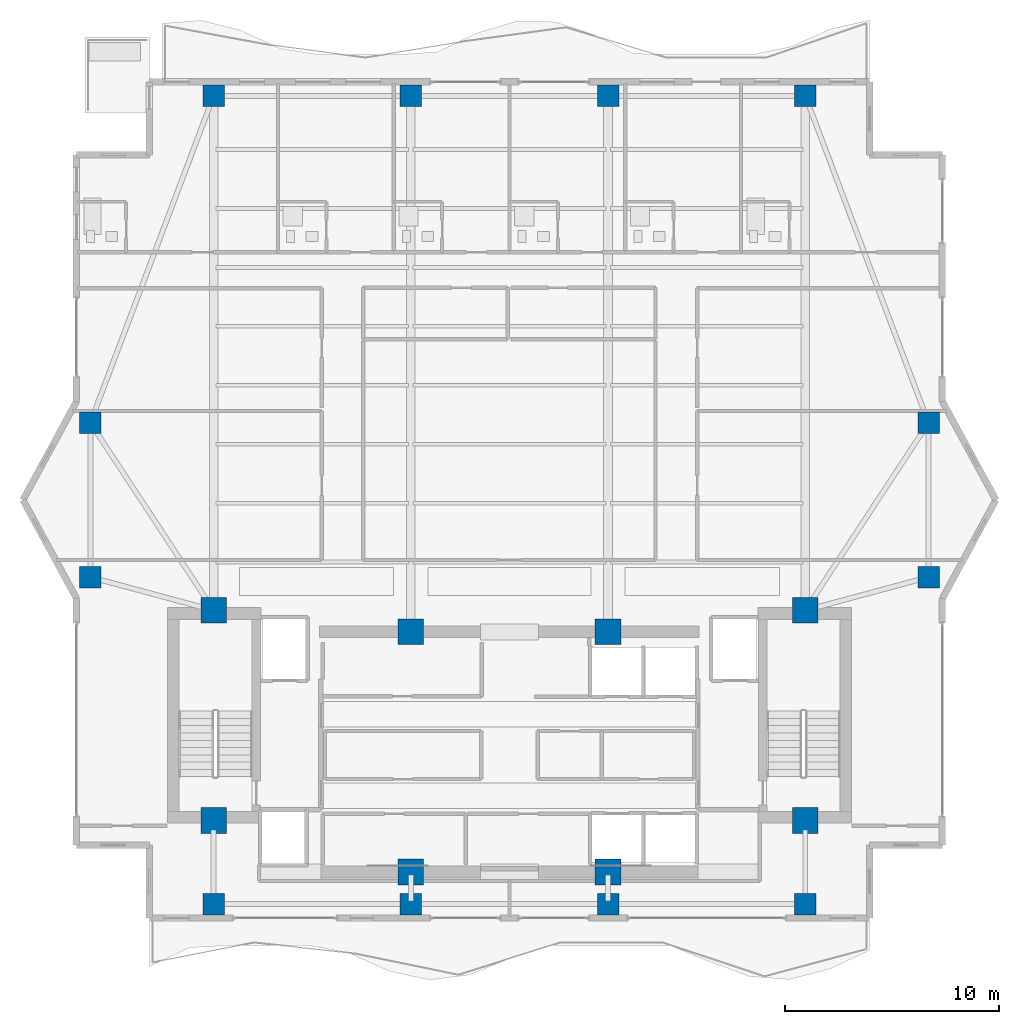
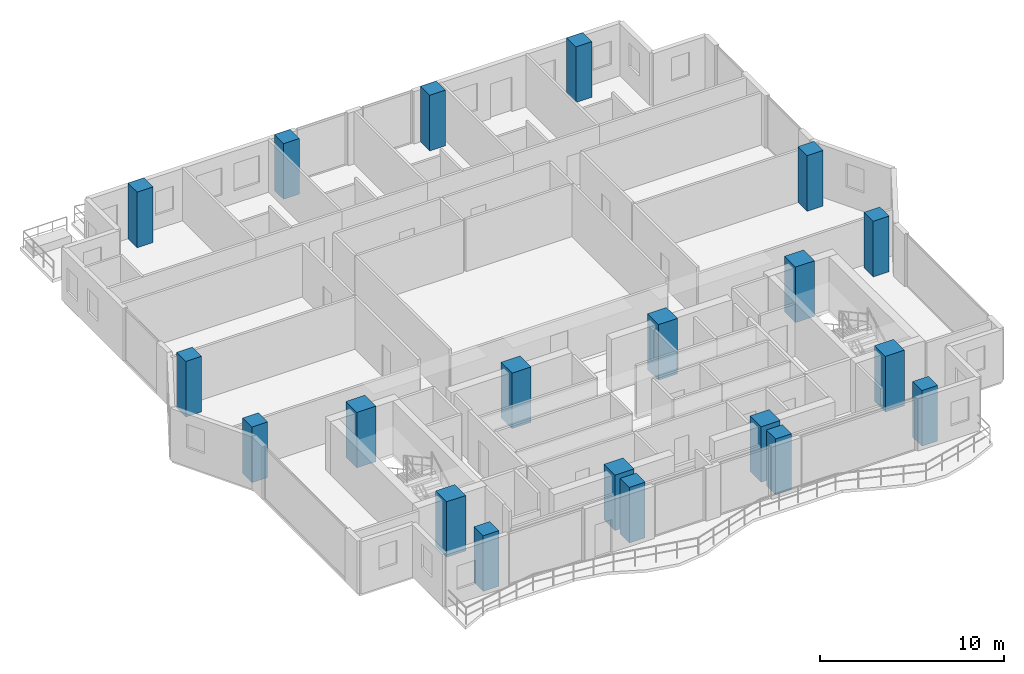
# One storey, part 1 of 24: 20 columns.
"""IFC4 building model written with IfcOpenShell, lengths in metres."""

import ifcopenshell
import ifcopenshell.guid

model = None  # the IFC model being written
_history = None  # IfcOwnerHistory: only IFC2X3 demands one
_inside = {}  # id of a spatial element -> (the spatial element, [elements in it])
_under = {}  # id of a project, library or spatial element -> (it, [spatial elements below it])
_declared = {}  # id of a project -> (the project, [libraries it declares])
_typed = {}  # id of a type object -> (the type object, [elements of that type])
_made_of = {}  # id of a material, layer set ... -> (it, [elements and type objects made of it])


def new_model(schema):
    """Start an empty IFC model of exactly this schema.

    Asked for "IFC4X3", IfcOpenShell would pick the latest addendum, in which some entities
    have other attributes; the version numbers below select the first issue.
    IFC2X3 requires an IfcOwnerHistory on every rooted entity: one is made here for all.
    """
    global model, _history
    if schema == "IFC4X3":
        model = ifcopenshell.file(schema_version=(4, 3, 0, 0))
    else:
        model = ifcopenshell.file(schema=schema)
    _inside.clear()
    _under.clear()
    _declared.clear()
    _typed.clear()
    _made_of.clear()
    _history = None
    if model.schema == "IFC2X3":
        org = make("IfcOrganization", Name="unknown")
        user = make(
            "IfcPersonAndOrganization",
            ThePerson=make("IfcPerson", FamilyName="unknown"),
            TheOrganization=org,
        )
        app = make(
            "IfcApplication",
            ApplicationDeveloper=org,
            Version="unknown",
            ApplicationFullName="unknown",
            ApplicationIdentifier="unknown",
        )
        _history = make(
            "IfcOwnerHistory",
            OwningUser=user,
            OwningApplication=app,
            ChangeAction="ADDED",
            CreationDate=0,
        )
    return model


def make(cls, **values):
    """One entity of the class cls with the attributes given. An attribute that is None is left unset."""
    return model.create_entity(
        cls, **{name: value for name, value in values.items() if value is not None}
    )


def rooted(cls, **values):
    """An entity with a GlobalId (a new one), such as an element, a storey or a relation."""
    return make(cls, GlobalId=ifcopenshell.guid.new(), OwnerHistory=_history, **values)


def si_unit(unit_type, name, prefix=None):
    """IfcSIUnit, for example si_unit("LENGTHUNIT", "METRE", prefix="MILLI")."""
    return make("IfcSIUnit", UnitType=unit_type, Prefix=prefix, Name=name)


def assignment(units):
    """IfcUnitAssignment: the units of a project."""
    return None if units is None else make("IfcUnitAssignment", Units=units)


def point(xyz):
    """IfcCartesianPoint."""
    return None if xyz is None else make("IfcCartesianPoint", Coordinates=xyz)


def direction(xyz):
    """IfcDirection."""
    return None if xyz is None else make("IfcDirection", DirectionRatios=xyz)


def frame(location, z_axis=None, x_axis=None):
    """IfcAxis2Placement3D, a coordinate frame: its origin and axes. An axis left out is left unset."""
    return make(
        "IfcAxis2Placement3D",
        Location=point(location),
        Axis=direction(z_axis),
        RefDirection=direction(x_axis),
    )


def frame_2d(location, x_axis=None):
    """IfcAxis2Placement2D, a coordinate frame in the plane: its origin and x axis."""
    return make(
        "IfcAxis2Placement2D", Location=point(location), RefDirection=direction(x_axis)
    )


def origin():
    """The frame at (0, 0, 0) with its axes left unset."""
    return frame((0.0, 0.0, 0.0))


def origin_2d():
    """The frame at (0, 0) in the plane with its x axis left unset."""
    return frame_2d((0.0, 0.0))


def place(relative_to, where):
    """IfcLocalPlacement: puts the frame where relative to a parent placement (None: the world)."""
    return make(
        "IfcLocalPlacement", PlacementRelTo=relative_to, RelativePlacement=where
    )


def context(
    kind, dimensions, precision=None, world=None, true_north=None, identifier=None
):
    """IfcGeometricRepresentationContext, for example the 3D "Model" context."""
    return make(
        "IfcGeometricRepresentationContext",
        ContextIdentifier=identifier,
        ContextType=kind,
        CoordinateSpaceDimension=dimensions,
        Precision=precision,
        WorldCoordinateSystem=world,
        TrueNorth=true_north,
    )


def subcontext(parent, identifier, kind, view, scale=None):
    """IfcGeometricRepresentationSubContext, for example "Body" below "Model"."""
    return make(
        "IfcGeometricRepresentationSubContext",
        ContextIdentifier=identifier,
        ContextType=kind,
        ParentContext=parent,
        TargetScale=scale,
        TargetView=view,
    )


def project(units=None, contexts=None):
    """IfcProject with its units and contexts."""
    return rooted(
        "IfcProject",
        Name="project",
        RepresentationContexts=contexts,
        UnitsInContext=assignment(units),
    )


def spatial(cls, under=None, at=None, **own):
    """A site, building, storey or space (cls), placed at a placement, below another one or the project."""
    s = rooted(cls, ObjectPlacement=at, **own)
    if under is not None:
        _under.setdefault(under.id(), (under, []))[1].append(s)
    return s


def profile(cls, at=None, kind="AREA", **sizes):
    """A parametric profile (cls). Its sizes go by their IFC names, for example OverallWidth=200.0."""
    return make(cls, ProfileType=kind, Position=at, **sizes)


def rectangle(**sizes):
    """IfcRectangleProfileDef."""
    return profile("IfcRectangleProfileDef", **sizes)


def extrude(swept, where, along, depth):
    """IfcExtrudedAreaSolid: the profile swept, set in the frame where, extruded along a direction by depth."""
    return make(
        "IfcExtrudedAreaSolid",
        SweptArea=swept,
        Position=where,
        ExtrudedDirection=direction(along),
        Depth=depth,
    )


def shape(context_of_items, identifier, shape_type, items):
    """IfcShapeRepresentation: the items that make up one representation, for example the "Body"."""
    return make(
        "IfcShapeRepresentation",
        ContextOfItems=context_of_items,
        RepresentationIdentifier=identifier,
        RepresentationType=shape_type,
        Items=items,
    )


def material(Name=None, Category=None):
    """IfcMaterial."""
    return make("IfcMaterial", Name=Name, Category=Category)


def material_profile(
    of_material, cross_section, Name=None, Category=None, Priority=None
):
    """IfcMaterialProfile: a cross section and its material."""
    return make(
        "IfcMaterialProfile",
        Name=Name,
        Material=of_material,
        Profile=cross_section,
        Priority=Priority,
        Category=Category,
    )


def profile_set(profiles, Name=None, composite=None):
    """IfcMaterialProfileSet."""
    return make(
        "IfcMaterialProfileSet",
        Name=Name,
        MaterialProfiles=profiles,
        CompositeProfile=composite,
    )


def made_of(thing, what):
    """Note that an element or type object is made of a material, layer set ...; save() writes the relation."""
    if what is not None:
        _made_of.setdefault(what.id(), (what, []))[1].append(thing)
    return thing


def type_object(cls, material=None, **own):
    """A type object (cls), such as IfcWallType, which elements share."""
    return made_of(rooted(cls, **own), material)


def element(
    cls,
    number,
    at=None,
    inside=None,
    cuts=None,
    type_object=None,
    material=None,
    context=None,
    identifier="Body",
    shape_type=None,
    held_by="IfcProductDefinitionShape",
    body=None,
    shapes=None,
    **own,
):
    """One element of the class cls, such as IfcWall. Its Tag is "e" and its number.

    at: its placement. inside: the storey or other place that contains it. cuts: it is an
    opening in that element (IfcRelVoidsElement). A single representation is given by context,
    identifier, shape_type and body (its items); several are given by shapes. held_by: the class
    of the entity that holds the representations. save() writes the other relations.
    """
    e = rooted(cls, Tag="e%d" % number, ObjectPlacement=at, **own)
    if body is not None:
        shapes = [shape(context, identifier, shape_type, body)]
    if shapes is not None:
        e.Representation = make(held_by, Representations=shapes)
    if inside is not None:
        _inside.setdefault(inside.id(), (inside, []))[1].append(e)
    if cuts is not None:
        rooted(
            "IfcRelVoidsElement", RelatingBuildingElement=cuts, RelatedOpeningElement=e
        )
    if type_object is not None:
        _typed.setdefault(type_object.id(), (type_object, []))[1].append(e)
    return made_of(e, material)


def aggregate(whole, parts):
    """IfcRelAggregates: a whole, such as a stair, and the parts it consists of."""
    return rooted("IfcRelAggregates", RelatingObject=whole, RelatedObjects=parts)


def save(model, path):
    """Write the relations noted so far, then the file.

    IfcRelAggregates (storeys below a building ...), IfcRelContainedInSpatialStructure (elements
    in a storey), IfcRelDefinesByType, IfcRelAssociatesMaterial and IfcRelDeclares: one each for
    every whole, place, type object, material and project.
    """
    for whole, parts in _under.values():
        aggregate(whole, parts)
    for where, things in _inside.values():
        rooted(
            "IfcRelContainedInSpatialStructure",
            RelatedElements=things,
            RelatingStructure=where,
        )
    for kind, things in _typed.values():
        rooted("IfcRelDefinesByType", RelatedObjects=things, RelatingType=kind)
    for what, things in _made_of.values():
        rooted("IfcRelAssociatesMaterial", RelatedObjects=things, RelatingMaterial=what)
    for by, libraries in _declared.values():
        rooted("IfcRelDeclares", RelatingContext=by, RelatedDefinitions=libraries)
    model.write(path)


model = new_model("IFC4")

# Units and contexts
model_context = context("Model", 3, precision=1e-05, world=origin(), true_north=direction((0.0, 1.0)))
body_context = subcontext(model_context, "Body", "Model", "MODEL_VIEW")
ifc_project = project(units=[si_unit("LENGTHUNIT", "METRE"), si_unit("AREAUNIT", "SQUARE_METRE"), si_unit("VOLUMEUNIT", "CUBIC_METRE"), si_unit("PLANEANGLEUNIT", "RADIAN"), si_unit("MASSUNIT", "GRAM", prefix="KILO")], contexts=[model_context])

# Site, building, storey
site_placement = place(None, origin())
site = spatial("IfcSite", under=ifc_project, at=site_placement, CompositionType="ELEMENT")
building_placement = place(site_placement, origin())
building = spatial("IfcBuilding", under=site, at=building_placement, Name="Zuhayl Quay Hotel", CompositionType="ELEMENT")
storey_placement = place(building_placement, frame((0.0, 0.0, 276.64990234375)))
storey = spatial("IfcBuildingStorey", under=building, at=storey_placement, Name="L70", CompositionType="ELEMENT", Elevation=276.64990234375)

# Columns
ifc_material = material(Name="Concrete C60/75", Category="concrete")
ifc_material_profile_1 = material_profile(ifc_material, rectangle(XDim=1.199951171875, YDim=1.199951171875, at=origin_2d()), Name="RC1200X1200")
ifc_profile_set_1 = profile_set([ifc_material_profile_1], Name="Concrete C60/75")
column_type_1 = type_object("IfcColumnType", Name="CL_CC2_1200", PredefinedType="COLUMN", material=ifc_profile_set_1)
for number, where, z_axis, x_axis, name in (
    (1, (-13.800048828125, 14.35009765625, 0.0), (0.0, 0.0, 1.0), (1.0, 0.0, 0.0), "L70 Core Column CC_NW"),
    (2, (-4.60009765625, 13.35009765625, 0.0), (0.0, 0.0, 1.0), (1.0, 0.0, 0.0), "L70 Core Column CC_CNW"),
    (3, (4.60009765625, 13.35009765625, 0.0), (0.0, 0.0, 1.0), (1.0, 0.0, 0.0), "L70 Core Column CC_CNE"),
    (4, (13.800048828125, 14.35009765625, 0.0), (0.0, 0.0, 1.0), (1.0, 0.0, 0.0), "L70 Core Column CC_NE"),
    (5, (-13.800048828125, 4.550048828125, 0.0), (0.0, 0.0, 1.0), (1.0, 0.0, 0.0), "L70 Core Column CC_SW"),
    (6, (-4.60009765625, 2.14990234375, 0.0), (0.0, 0.0, 1.0), (1.0, 0.0, 0.0), "L70 Core Column CC_CSW"),
    (7, (4.60009765625, 2.14990234375, 0.0), (0.0, 0.0, 1.0), (1.0, 0.0, 0.0), "L70 Core Column CC_CSE"),
    (8, (13.800048828125, 4.550048828125, 0.0), (0.0, 0.0, 1.0), (1.0, 0.0, 0.0), "L70 Core Column CC_SE"),
):
    element("IfcColumn", number, at=place(storey_placement, frame(where, z_axis=z_axis, x_axis=x_axis)), inside=storey, type_object=column_type_1, Name=name, PredefinedType="COLUMN", context=body_context, shape_type="SweptSolid", body=[
        extrude(rectangle(XDim=1.199951171875, YDim=1.199951171875, at=origin_2d()), origin(), (0.0, 0.0, 1.0), 3.7001953125),
    ])
ifc_material_profile_2 = material_profile(ifc_material, rectangle(XDim=1.0, YDim=1.0, at=origin_2d()), Name="RC1000X1000")
ifc_profile_set_2 = profile_set([ifc_material_profile_2], Name="Concrete C60/75")
column_type_2 = type_object("IfcColumnType", Name="CL_MC4_1000", PredefinedType="COLUMN", material=ifc_profile_set_2)
for number, where, z_axis, x_axis, name in (
    (9, (-13.800048828125, 0.64990234375, 0.0), (0.0, 0.0, 1.0), (1.0, 0.0, 0.0), "L70 Mega-Column MC_S1"),
    (10, (-4.60009765625, 0.64990234375, 0.0), (0.0, 0.0, 1.0), (1.0, 0.0, 0.0), "L70 Mega-Column MC_S2"),
    (11, (4.60009765625, 0.64990234375, 0.0), (0.0, 0.0, 1.0), (1.0, 0.0, 0.0), "L70 Mega-Column MC_S3"),
    (12, (13.800048828125, 0.64990234375, 0.0), (0.0, 0.0, 1.0), (1.0, 0.0, 0.0), "L70 Mega-Column MC_S4"),
    (13, (-13.800048828125, 38.35009765625, 0.0), (0.0, 0.0, 1.0), (1.0, 0.0, 0.0), "L70 Mega-Column MC_N1"),
    (14, (-4.60009765625, 38.35009765625, 0.0), (0.0, 0.0, 1.0), (1.0, 0.0, 0.0), "L70 Mega-Column MC_N2"),
    (15, (4.60009765625, 38.35009765625, 0.0), (0.0, 0.0, 1.0), (1.0, 0.0, 0.0), "L70 Mega-Column MC_N3"),
    (16, (13.800048828125, 38.35009765625, 0.0), (0.0, 0.0, 1.0), (1.0, 0.0, 0.0), "L70 Mega-Column MC_N4"),
    (17, (-19.550048828125, 15.89990234375, 0.0), (0.0, 0.0, 1.0), (1.0, 0.0, 0.0), "L70 Mega-Column MC_W1"),
    (18, (-19.550048828125, 23.10009765625, 0.0), (0.0, 0.0, 1.0), (1.0, 0.0, 0.0), "L70 Mega-Column MC_W2"),
    (19, (19.550048828125, 15.89990234375, 0.0), (0.0, 0.0, 1.0), (1.0, 0.0, 0.0), "L70 Mega-Column MC_E1"),
    (20, (19.550048828125, 23.10009765625, 0.0), (0.0, 0.0, 1.0), (1.0, 0.0, 0.0), "L70 Mega-Column MC_E2"),
):
    element("IfcColumn", number, at=place(storey_placement, frame(where, z_axis=z_axis, x_axis=x_axis)), inside=storey, type_object=column_type_2, Name=name, PredefinedType="COLUMN", context=body_context, shape_type="SweptSolid", body=[
        extrude(rectangle(XDim=1.0, YDim=1.0, at=origin_2d()), origin(), (0.0, 0.0, 1.0), 3.7001953125),
    ])

save(model, "model.ifc")
